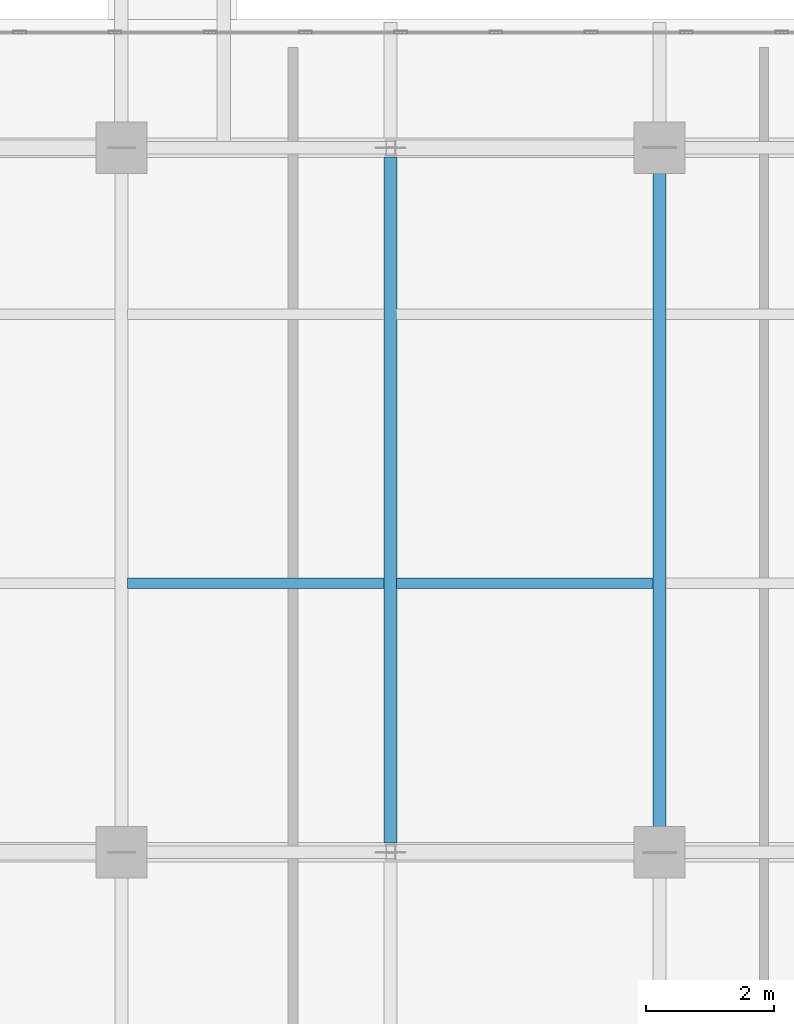
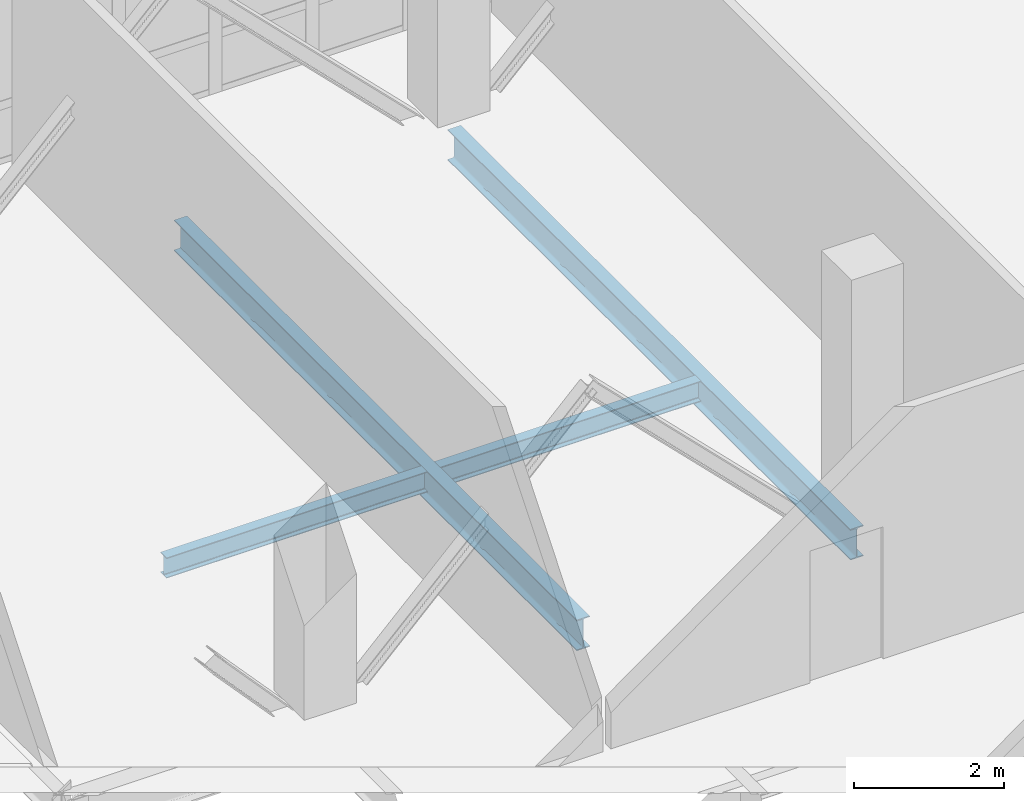
# One storey, part 11 of 158: 4 beams.
"""IFC4 building model written with IfcOpenShell, lengths in metres."""

import ifcopenshell
import ifcopenshell.guid

model = None  # the IFC model being written
_history = None  # IfcOwnerHistory: only IFC2X3 demands one
_inside = {}  # id of a spatial element -> (the spatial element, [elements in it])
_under = {}  # id of a project, library or spatial element -> (it, [spatial elements below it])
_declared = {}  # id of a project -> (the project, [libraries it declares])
_typed = {}  # id of a type object -> (the type object, [elements of that type])
_made_of = {}  # id of a material, layer set ... -> (it, [elements and type objects made of it])


def new_model(schema):
    """Start an empty IFC model of exactly this schema.

    Asked for "IFC4X3", IfcOpenShell would pick the latest addendum, in which some entities
    have other attributes; the version numbers below select the first issue.
    IFC2X3 requires an IfcOwnerHistory on every rooted entity: one is made here for all.
    """
    global model, _history
    if schema == "IFC4X3":
        model = ifcopenshell.file(schema_version=(4, 3, 0, 0))
    else:
        model = ifcopenshell.file(schema=schema)
    _inside.clear()
    _under.clear()
    _declared.clear()
    _typed.clear()
    _made_of.clear()
    _history = None
    if model.schema == "IFC2X3":
        org = make("IfcOrganization", Name="unknown")
        user = make(
            "IfcPersonAndOrganization",
            ThePerson=make("IfcPerson", FamilyName="unknown"),
            TheOrganization=org,
        )
        app = make(
            "IfcApplication",
            ApplicationDeveloper=org,
            Version="unknown",
            ApplicationFullName="unknown",
            ApplicationIdentifier="unknown",
        )
        _history = make(
            "IfcOwnerHistory",
            OwningUser=user,
            OwningApplication=app,
            ChangeAction="ADDED",
            CreationDate=0,
        )
    return model


def make(cls, **values):
    """One entity of the class cls with the attributes given. An attribute that is None is left unset."""
    return model.create_entity(
        cls, **{name: value for name, value in values.items() if value is not None}
    )


def rooted(cls, **values):
    """An entity with a GlobalId (a new one), such as an element, a storey or a relation."""
    return make(cls, GlobalId=ifcopenshell.guid.new(), OwnerHistory=_history, **values)


def si_unit(unit_type, name, prefix=None):
    """IfcSIUnit, for example si_unit("LENGTHUNIT", "METRE", prefix="MILLI")."""
    return make("IfcSIUnit", UnitType=unit_type, Prefix=prefix, Name=name)


def assignment(units):
    """IfcUnitAssignment: the units of a project."""
    return None if units is None else make("IfcUnitAssignment", Units=units)


def point(xyz):
    """IfcCartesianPoint."""
    return None if xyz is None else make("IfcCartesianPoint", Coordinates=xyz)


def direction(xyz):
    """IfcDirection."""
    return None if xyz is None else make("IfcDirection", DirectionRatios=xyz)


def frame(location, z_axis=None, x_axis=None):
    """IfcAxis2Placement3D, a coordinate frame: its origin and axes. An axis left out is left unset."""
    return make(
        "IfcAxis2Placement3D",
        Location=point(location),
        Axis=direction(z_axis),
        RefDirection=direction(x_axis),
    )


def frame_2d(location, x_axis=None):
    """IfcAxis2Placement2D, a coordinate frame in the plane: its origin and x axis."""
    return make(
        "IfcAxis2Placement2D", Location=point(location), RefDirection=direction(x_axis)
    )


def origin():
    """The frame at (0, 0, 0) with its axes left unset."""
    return frame((0.0, 0.0, 0.0))


def origin_2d():
    """The frame at (0, 0) in the plane with its x axis left unset."""
    return frame_2d((0.0, 0.0))


def place(relative_to, where):
    """IfcLocalPlacement: puts the frame where relative to a parent placement (None: the world)."""
    return make(
        "IfcLocalPlacement", PlacementRelTo=relative_to, RelativePlacement=where
    )


def context(
    kind, dimensions, precision=None, world=None, true_north=None, identifier=None
):
    """IfcGeometricRepresentationContext, for example the 3D "Model" context."""
    return make(
        "IfcGeometricRepresentationContext",
        ContextIdentifier=identifier,
        ContextType=kind,
        CoordinateSpaceDimension=dimensions,
        Precision=precision,
        WorldCoordinateSystem=world,
        TrueNorth=true_north,
    )


def subcontext(parent, identifier, kind, view, scale=None):
    """IfcGeometricRepresentationSubContext, for example "Body" below "Model"."""
    return make(
        "IfcGeometricRepresentationSubContext",
        ContextIdentifier=identifier,
        ContextType=kind,
        ParentContext=parent,
        TargetScale=scale,
        TargetView=view,
    )


def project(units=None, contexts=None):
    """IfcProject with its units and contexts."""
    return rooted(
        "IfcProject",
        Name="project",
        RepresentationContexts=contexts,
        UnitsInContext=assignment(units),
    )


def spatial(cls, under=None, at=None, **own):
    """A site, building, storey or space (cls), placed at a placement, below another one or the project."""
    s = rooted(cls, ObjectPlacement=at, **own)
    if under is not None:
        _under.setdefault(under.id(), (under, []))[1].append(s)
    return s


def profile(cls, at=None, kind="AREA", **sizes):
    """A parametric profile (cls). Its sizes go by their IFC names, for example OverallWidth=200.0."""
    return make(cls, ProfileType=kind, Position=at, **sizes)


def i_section(**sizes):
    """IfcIShapeProfileDef."""
    return profile("IfcIShapeProfileDef", **sizes)


def extrude(swept, where, along, depth):
    """IfcExtrudedAreaSolid: the profile swept, set in the frame where, extruded along a direction by depth."""
    return make(
        "IfcExtrudedAreaSolid",
        SweptArea=swept,
        Position=where,
        ExtrudedDirection=direction(along),
        Depth=depth,
    )


def shape(context_of_items, identifier, shape_type, items):
    """IfcShapeRepresentation: the items that make up one representation, for example the "Body"."""
    return make(
        "IfcShapeRepresentation",
        ContextOfItems=context_of_items,
        RepresentationIdentifier=identifier,
        RepresentationType=shape_type,
        Items=items,
    )


def material(Name=None, Category=None):
    """IfcMaterial."""
    return make("IfcMaterial", Name=Name, Category=Category)


def material_profile(
    of_material, cross_section, Name=None, Category=None, Priority=None
):
    """IfcMaterialProfile: a cross section and its material."""
    return make(
        "IfcMaterialProfile",
        Name=Name,
        Material=of_material,
        Profile=cross_section,
        Priority=Priority,
        Category=Category,
    )


def profile_set(profiles, Name=None, composite=None):
    """IfcMaterialProfileSet."""
    return make(
        "IfcMaterialProfileSet",
        Name=Name,
        MaterialProfiles=profiles,
        CompositeProfile=composite,
    )


def made_of(thing, what):
    """Note that an element or type object is made of a material, layer set ...; save() writes the relation."""
    if what is not None:
        _made_of.setdefault(what.id(), (what, []))[1].append(thing)
    return thing


def type_object(cls, material=None, **own):
    """A type object (cls), such as IfcWallType, which elements share."""
    return made_of(rooted(cls, **own), material)


def element(
    cls,
    number,
    at=None,
    inside=None,
    cuts=None,
    type_object=None,
    material=None,
    context=None,
    identifier="Body",
    shape_type=None,
    held_by="IfcProductDefinitionShape",
    body=None,
    shapes=None,
    **own,
):
    """One element of the class cls, such as IfcWall. Its Tag is "e" and its number.

    at: its placement. inside: the storey or other place that contains it. cuts: it is an
    opening in that element (IfcRelVoidsElement). A single representation is given by context,
    identifier, shape_type and body (its items); several are given by shapes. held_by: the class
    of the entity that holds the representations. save() writes the other relations.
    """
    e = rooted(cls, Tag="e%d" % number, ObjectPlacement=at, **own)
    if body is not None:
        shapes = [shape(context, identifier, shape_type, body)]
    if shapes is not None:
        e.Representation = make(held_by, Representations=shapes)
    if inside is not None:
        _inside.setdefault(inside.id(), (inside, []))[1].append(e)
    if cuts is not None:
        rooted(
            "IfcRelVoidsElement", RelatingBuildingElement=cuts, RelatedOpeningElement=e
        )
    if type_object is not None:
        _typed.setdefault(type_object.id(), (type_object, []))[1].append(e)
    return made_of(e, material)


def aggregate(whole, parts):
    """IfcRelAggregates: a whole, such as a stair, and the parts it consists of."""
    return rooted("IfcRelAggregates", RelatingObject=whole, RelatedObjects=parts)


def save(model, path):
    """Write the relations noted so far, then the file.

    IfcRelAggregates (storeys below a building ...), IfcRelContainedInSpatialStructure (elements
    in a storey), IfcRelDefinesByType, IfcRelAssociatesMaterial and IfcRelDeclares: one each for
    every whole, place, type object, material and project.
    """
    for whole, parts in _under.values():
        aggregate(whole, parts)
    for where, things in _inside.values():
        rooted(
            "IfcRelContainedInSpatialStructure",
            RelatedElements=things,
            RelatingStructure=where,
        )
    for kind, things in _typed.values():
        rooted("IfcRelDefinesByType", RelatedObjects=things, RelatingType=kind)
    for what, things in _made_of.values():
        rooted("IfcRelAssociatesMaterial", RelatedObjects=things, RelatingMaterial=what)
    for by, libraries in _declared.values():
        rooted("IfcRelDeclares", RelatingContext=by, RelatedDefinitions=libraries)
    model.write(path)


model = new_model("IFC4")

# Units and contexts
model_context = context("Model", 3, precision=1e-05, world=origin(), true_north=direction((0.0, 1.0)))
body_context = subcontext(model_context, "Body", "Model", "MODEL_VIEW")
ifc_project = project(units=[si_unit("LENGTHUNIT", "METRE"), si_unit("AREAUNIT", "SQUARE_METRE"), si_unit("VOLUMEUNIT", "CUBIC_METRE"), si_unit("PLANEANGLEUNIT", "RADIAN"), si_unit("MASSUNIT", "GRAM", prefix="KILO")], contexts=[model_context])

# Site, building, storey
site_placement = place(None, origin())
site = spatial("IfcSite", under=ifc_project, at=site_placement, CompositionType="ELEMENT")
building_placement = place(site_placement, origin())
building = spatial("IfcBuilding", under=site, at=building_placement, Name="Qalavern Law Courts", CompositionType="ELEMENT")
storey_placement = place(building_placement, frame((0.0, 0.0, 18.60009765625)))
storey = spatial("IfcBuildingStorey", under=building, at=storey_placement, Name="L04", CompositionType="ELEMENT", Elevation=18.60009765625)

# Beams
ifc_material = material(Name="Steel S355", Category="steel")
ifc_material_profile_1 = material_profile(ifc_material, i_section(OverallWidth=0.199951171875, OverallDepth=0.5, WebThickness=0.01025390625, FlangeThickness=0.01611328125, FilletRadius=0.02099609375, at=origin_2d()), Name="IPE 500")
ifc_profile_set_1 = profile_set([ifc_material_profile_1], Name="Steel S355")
beam_type_1 = type_object("IfcBeamType", Name="STR-BM-IPE500", PredefinedType="BEAM", material=ifc_profile_set_1)
for number, where, z_axis, x_axis, name in (
    (1, (25.199951171875, 21.14794921875, -0.530029296875), (0.0, 1.0, 0.0), (-1.0, 0.0, 0.0), "Foyer transverse beam L04-3.3"),
    (2, (21.0, 21.14794921875, -0.530029296875), (0.0, 1.0, 0.0), (-1.0, 0.0, 0.0), "Foyer transverse beam L04-4.3"),
):
    element("IfcBeam", number, at=place(storey_placement, frame(where, z_axis=z_axis, x_axis=x_axis)), inside=storey, type_object=beam_type_1, Name=name, PredefinedType="BEAM", context=body_context, shape_type="SweptSolid", body=[
        extrude(i_section(OverallWidth=0.199951171875, OverallDepth=0.5, WebThickness=0.01025390625, FlangeThickness=0.01611328125, FilletRadius=0.02099609375, at=origin_2d()), origin(), (0.0, 0.0, 1.0), 10.7041015625),
    ])
ifc_material_profile_2 = material_profile(ifc_material, i_section(OverallWidth=0.159912109375, OverallDepth=0.330078125, WebThickness=0.007568359375, FlangeThickness=0.011474609375, FilletRadius=0.01806640625, at=origin_2d()), Name="IPE 330")
ifc_profile_set_2 = profile_set([ifc_material_profile_2], Name="Steel S355")
beam_type_2 = type_object("IfcBeamType", Name="STR-JST-IPE330", PredefinedType="JOIST", material=ifc_profile_set_2)
for number, where, z_axis, x_axis, name in (
    (3, (21.097900390625, 25.199951171875, -0.445068359375), (1.0, 0.0, 0.0), (0.0, 1.0, 0.0), "Foyer floor joist L04-3.3"),
    (4, (16.89794921875, 25.199951171875, -0.445068359375), (1.0, 0.0, 0.0), (0.0, 1.0, 0.0), "Foyer floor joist L04-4.3"),
):
    element("IfcBeam", number, at=place(storey_placement, frame(where, z_axis=z_axis, x_axis=x_axis)), inside=storey, type_object=beam_type_2, Name=name, PredefinedType="JOIST", context=body_context, shape_type="SweptSolid", body=[
        extrude(i_section(OverallWidth=0.159912109375, OverallDepth=0.330078125, WebThickness=0.007568359375, FlangeThickness=0.011474609375, FilletRadius=0.01806640625, at=origin_2d()), origin(), (0.0, 0.0, 1.0), 4.004150390625),
    ])

save(model, "model.ifc")
